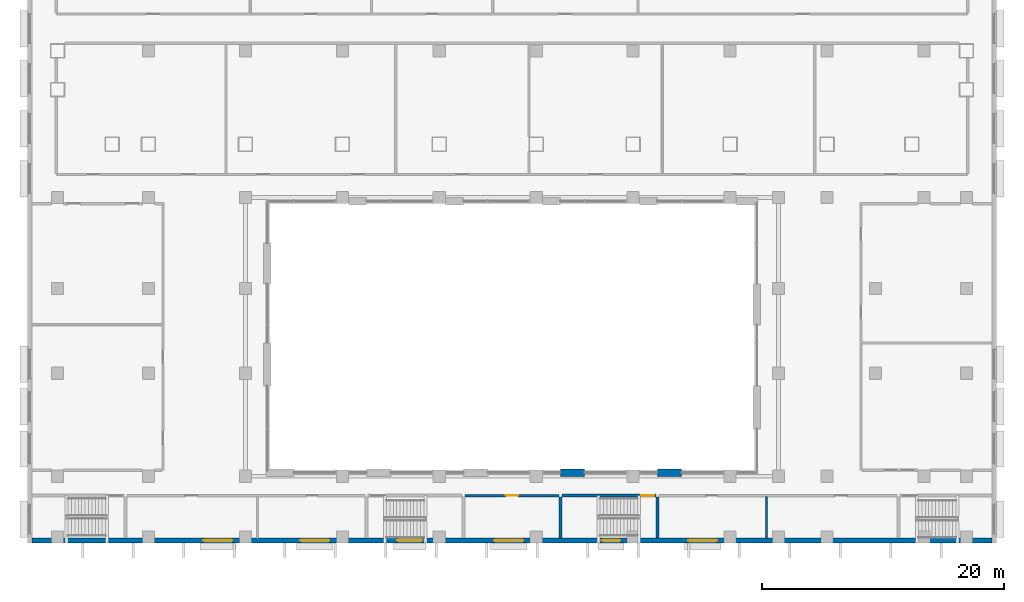
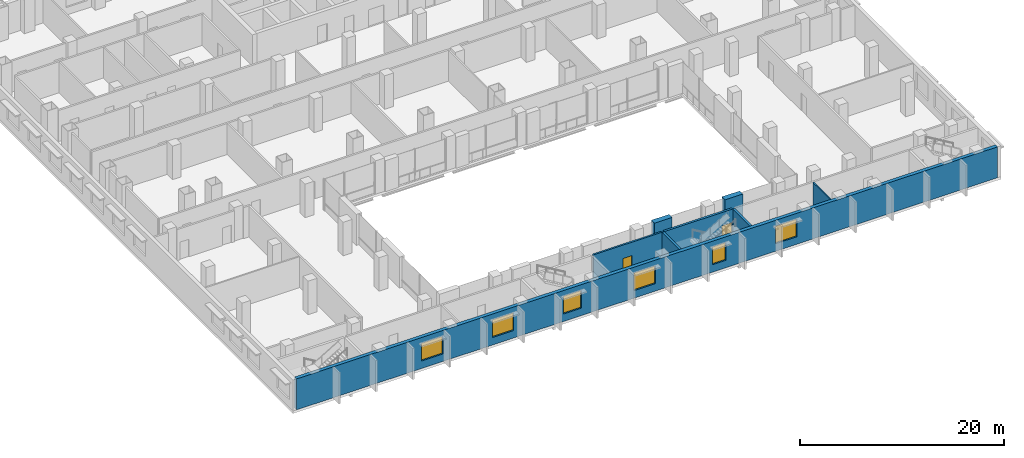
# One storey, part 8 of 25: 8 walls, 6 windows, 2 doors, 8 openings.
"""IFC4 building model written with IfcOpenShell, lengths in metres."""

from ifc_helpers import new_model, si_unit, direction, frame, frame_2d, origin, place, context, subcontext, project, spatial, rectangle, extrude, material, layer, layer_set, type_object, element, fill, save


model = new_model("IFC4")

# Units and contexts
model_context = context("Model", 3, precision=1e-05, world=origin(), true_north=direction((0.0, 1.0)))
body_context = subcontext(model_context, "Body", "Model", "MODEL_VIEW")
ifc_project = project(units=[si_unit("LENGTHUNIT", "METRE"), si_unit("AREAUNIT", "SQUARE_METRE"), si_unit("VOLUMEUNIT", "CUBIC_METRE"), si_unit("PLANEANGLEUNIT", "RADIAN"), si_unit("MASSUNIT", "GRAM", prefix="KILO")], contexts=[model_context])

# Site, building, storey
site_placement = place(None, origin())
site = spatial("IfcSite", under=ifc_project, at=site_placement, CompositionType="ELEMENT")
building_placement = place(site_placement, origin())
building = spatial("IfcBuilding", under=site, at=building_placement, Name="Vidyagriha Tower", CompositionType="ELEMENT")
storey_placement = place(building_placement, frame((0.0, 0.0, 18.0)))
storey = spatial("IfcBuildingStorey", under=building, at=storey_placement, Name="L04", CompositionType="ELEMENT", Elevation=18.0)

# Wall, openings, windows
ifc_material_1 = material(Name="Concrete C40/50 board-marked with brick facing", Category="concrete")
ifc_layer_1 = layer(ifc_material_1, 0.39990234375)
ifc_layer_set_1 = layer_set([ifc_layer_1], Name="Concrete C40/50 board-marked with brick facing")
wall_type_1 = type_object("IfcWallType", Name="Brick-faced board-marked concrete podium wall 400", PredefinedType="STANDARD", material=ifc_layer_set_1)
wall_1_placement = place(storey_placement, frame((-39.60009765625, -49.800048828125, 0.0)))
wall_1 = element("IfcWall", 1, at=wall_1_placement, inside=storey, type_object=wall_type_1, Name="Podium wall L04 R06", PredefinedType="STANDARD", context=body_context, shape_type="SweptSolid", body=[
    extrude(rectangle(XDim=79.2001953125, YDim=0.39990234375, at=frame_2d((39.60009765625, 0.0))), origin(), (0.0, 0.0, 1.0), 3.699951171875),
])
opening_1_placement = place(wall_1_placement, frame((14.135009765625, 0.0, 0.89990234375)))
opening_1 = element("IfcOpeningElement", 2, at=opening_1_placement, cuts=wall_1, Name="Opening WN3", PredefinedType="OPENING", context=body_context, shape_type="SweptSolid", body=[
    extrude(rectangle(XDim=2.39990234375, YDim=2.10009765625, at=frame_2d((1.199951171875, 1.050048828125))), frame((0.0, 0.2099609375, 0.0), z_axis=(0.0, -1.0, 0.0), x_axis=(1.0, 0.0, 0.0)), (0.0, 0.0, 1.0), 0.419921875),
])
opening_2_placement = place(wall_1_placement, frame((22.135009765625, 0.0, 0.89990234375)))
opening_2 = element("IfcOpeningElement", 3, at=opening_2_placement, cuts=wall_1, Name="Opening WN3", PredefinedType="OPENING", context=body_context, shape_type="SweptSolid", body=[
    extrude(rectangle(XDim=2.39990234375, YDim=2.10009765625, at=frame_2d((1.199951171875, 1.050048828125))), frame((0.0, 0.2099609375, 0.0), z_axis=(0.0, -1.0, 0.0), x_axis=(1.0, 0.0, 0.0)), (0.0, 0.0, 1.0), 0.419921875),
])
opening_3_placement = place(wall_1_placement, frame((30.135009765625, 0.0, 0.89990234375)))
opening_3 = element("IfcOpeningElement", 4, at=opening_3_placement, cuts=wall_1, Name="Opening WN7", PredefinedType="OPENING", context=body_context, shape_type="SweptSolid", body=[
    extrude(rectangle(XDim=2.050048828125, YDim=2.10009765625, at=frame_2d((1.02490234375, 1.050048828125))), frame((0.0, 0.2099609375, 0.0), z_axis=(0.0, -1.0, 0.0), x_axis=(1.0, 0.0, 0.0)), (0.0, 0.0, 1.0), 0.419921875),
])
opening_4_placement = place(wall_1_placement, frame((38.135009765625, 0.0, 0.89990234375)))
opening_4 = element("IfcOpeningElement", 5, at=opening_4_placement, cuts=wall_1, Name="Opening WN3", PredefinedType="OPENING", context=body_context, shape_type="SweptSolid", body=[
    extrude(rectangle(XDim=2.39990234375, YDim=2.10009765625, at=frame_2d((1.199951171875, 1.050048828125))), frame((0.0, 0.2099609375, 0.0), z_axis=(0.0, -1.0, 0.0), x_axis=(1.0, 0.0, 0.0)), (0.0, 0.0, 1.0), 0.419921875),
])
opening_5_placement = place(wall_1_placement, frame((47.014892578125, 0.0, 0.89990234375)))
opening_5 = element("IfcOpeningElement", 6, at=opening_5_placement, cuts=wall_1, Name="Opening WN8", PredefinedType="OPENING", context=body_context, shape_type="SweptSolid", body=[
    extrude(rectangle(XDim=1.52001953125, YDim=2.10009765625, at=frame_2d((0.760009765625, 1.050048828125))), frame((0.0, 0.2099609375, 0.0), z_axis=(0.0, -1.0, 0.0), x_axis=(1.0, 0.0, 0.0)), (0.0, 0.0, 1.0), 0.419921875),
])
opening_6_placement = place(wall_1_placement, frame((54.135009765625, 0.0, 0.89990234375)))
opening_6 = element("IfcOpeningElement", 7, at=opening_6_placement, cuts=wall_1, Name="Opening WN3", PredefinedType="OPENING", context=body_context, shape_type="SweptSolid", body=[
    extrude(rectangle(XDim=2.39990234375, YDim=2.10009765625, at=frame_2d((1.199951171875, 1.050048828125))), frame((0.0, 0.2099609375, 0.0), z_axis=(0.0, -1.0, 0.0), x_axis=(1.0, 0.0, 0.0)), (0.0, 0.0, 1.0), 0.419921875),
])
ifc_material_2 = material(Name="Aluminium and glass window", Category="aluminium")
window_type_1 = type_object("IfcWindowType", Name="Podium school window 1520x2100", PartitioningType="NOTDEFINED", PredefinedType="WINDOW", material=ifc_material_2)
window_1_placement = place(opening_5_placement, origin())
window_1 = element("IfcWindow", 8, at=window_1_placement, inside=storey, type_object=window_type_1, Name="School window L04 R06.25", OverallHeight=2.10009765625, OverallWidth=1.52001953125, PartitioningType="SINGLE_PANEL", PredefinedType="WINDOW", context=body_context, shape_type="SweptSolid", body=[
    extrude(rectangle(XDim=1.52001953125, YDim=2.10009765625, at=frame_2d((0.760009765625, 1.050048828125))), frame((0.0, 0.030029296875, 0.0), z_axis=(0.0, -1.0, 0.0), x_axis=(1.0, 0.0, 0.0)), (0.0, 0.0, 1.0), 0.06005859375),
])
fill(opening_5, window_1)
ifc_material_3 = material(Name="Aluminium and glass window", Category="aluminium")
window_type_2 = type_object("IfcWindowType", Name="Podium school window 2050x2100", PartitioningType="NOTDEFINED", PredefinedType="WINDOW", material=ifc_material_3)
window_2_placement = place(opening_3_placement, origin())
window_2 = element("IfcWindow", 9, at=window_2_placement, inside=storey, type_object=window_type_2, Name="School window L04 R06.17", OverallHeight=2.10009765625, OverallWidth=2.050048828125, PartitioningType="SINGLE_PANEL", PredefinedType="WINDOW", context=body_context, shape_type="SweptSolid", body=[
    extrude(rectangle(XDim=2.050048828125, YDim=2.10009765625, at=frame_2d((1.02490234375, 1.050048828125))), frame((0.0, 0.030029296875, 0.0), z_axis=(0.0, -1.0, 0.0), x_axis=(1.0, 0.0, 0.0)), (0.0, 0.0, 1.0), 0.06005859375),
])
fill(opening_3, window_2)
ifc_material_4 = material(Name="Aluminium and glass window", Category="aluminium")
window_type_3 = type_object("IfcWindowType", Name="Podium school window 2400x2100", PartitioningType="NOTDEFINED", PredefinedType="WINDOW", material=ifc_material_4)
window_3_placement = place(opening_1_placement, origin())
window_3 = element("IfcWindow", 10, at=window_3_placement, inside=storey, type_object=window_type_3, Name="School window L04 R06.9", OverallHeight=2.10009765625, OverallWidth=2.39990234375, PartitioningType="SINGLE_PANEL", PredefinedType="WINDOW", context=body_context, shape_type="SweptSolid", body=[
    extrude(rectangle(XDim=2.39990234375, YDim=2.10009765625, at=frame_2d((1.199951171875, 1.050048828125))), frame((0.0, 0.030029296875, 0.0), z_axis=(0.0, -1.0, 0.0), x_axis=(1.0, 0.0, 0.0)), (0.0, 0.0, 1.0), 0.06005859375),
])
fill(opening_1, window_3)
window_4_placement = place(opening_2_placement, origin())
window_4 = element("IfcWindow", 11, at=window_4_placement, inside=storey, type_object=window_type_3, Name="School window L04 R06.13", OverallHeight=2.10009765625, OverallWidth=2.39990234375, PartitioningType="SINGLE_PANEL", PredefinedType="WINDOW", context=body_context, shape_type="SweptSolid", body=[
    extrude(rectangle(XDim=2.39990234375, YDim=2.10009765625, at=frame_2d((1.199951171875, 1.050048828125))), frame((0.0, 0.030029296875, 0.0), z_axis=(0.0, -1.0, 0.0), x_axis=(1.0, 0.0, 0.0)), (0.0, 0.0, 1.0), 0.06005859375),
])
fill(opening_2, window_4)
window_5_placement = place(opening_4_placement, origin())
window_5 = element("IfcWindow", 12, at=window_5_placement, inside=storey, type_object=window_type_3, Name="School window L04 R06.21", OverallHeight=2.10009765625, OverallWidth=2.39990234375, PartitioningType="SINGLE_PANEL", PredefinedType="WINDOW", context=body_context, shape_type="SweptSolid", body=[
    extrude(rectangle(XDim=2.39990234375, YDim=2.10009765625, at=frame_2d((1.199951171875, 1.050048828125))), frame((0.0, 0.030029296875, 0.0), z_axis=(0.0, -1.0, 0.0), x_axis=(1.0, 0.0, 0.0)), (0.0, 0.0, 1.0), 0.06005859375),
])
fill(opening_4, window_5)
window_6_placement = place(opening_6_placement, origin())
window_6 = element("IfcWindow", 13, at=window_6_placement, inside=storey, type_object=window_type_3, Name="School window L04 R06.29", OverallHeight=2.10009765625, OverallWidth=2.39990234375, PartitioningType="SINGLE_PANEL", PredefinedType="WINDOW", context=body_context, shape_type="SweptSolid", body=[
    extrude(rectangle(XDim=2.39990234375, YDim=2.10009765625, at=frame_2d((1.199951171875, 1.050048828125))), frame((0.0, 0.030029296875, 0.0), z_axis=(0.0, -1.0, 0.0), x_axis=(1.0, 0.0, 0.0)), (0.0, 0.0, 1.0), 0.06005859375),
])
fill(opening_6, window_6)

# Walls
ifc_material_5 = material(Name="Precast concrete C40/50 with brick facing", Category="concrete")
ifc_layer_2 = layer(ifc_material_5, 0.60009765625)
ifc_layer_set_2 = layer_set([ifc_layer_2], Name="Precast concrete C40/50 with brick facing")
wall_type_2 = type_object("IfcWallType", Name="Brick-faced precast wall 600", PredefinedType="STANDARD", material=ifc_layer_set_2)
for number, where, z_axis, x_axis, name in (
    (14, (14.0, -44.199951171875, 0.0), (0.0, 0.0, 1.0), (-1.0, 0.0, 0.0), "Brick door bay wall L04 R07.4"),
    (15, (6.0, -44.199951171875, 0.0), (0.0, 0.0, 1.0), (-1.0, 0.0, 0.0), "Brick door bay wall L04 R07.8"),
):
    element("IfcWall", number, at=place(storey_placement, frame(where, z_axis=z_axis, x_axis=x_axis)), inside=storey, type_object=wall_type_2, Name=name, PredefinedType="STANDARD", context=body_context, shape_type="SweptSolid", body=[
        extrude(rectangle(XDim=2.0, YDim=0.60009765625, at=frame_2d((1.0, 0.0))), origin(), (0.0, 0.0, 1.0), 3.699951171875),
    ])

# Wall, opening, door
ifc_material_6 = material(Name="Concrete C32/40", Category="concrete")
ifc_layer_3 = layer(ifc_material_6, 0.25)
ifc_layer_set_3 = layer_set([ifc_layer_3], Name="Concrete C32/40")
wall_type_3 = type_object("IfcWallType", Name="Concrete Stair Enclosure Wall 250", PredefinedType="SOLIDWALL", material=ifc_layer_set_3)
wall_2_placement = place(storey_placement, frame((4.125, -46.10009765625, 0.0)))
wall_2 = element("IfcWall", 16, at=wall_2_placement, inside=storey, type_object=wall_type_3, Name="L04 Concrete Stair Enclosure Wall 250 005", PredefinedType="SOLIDWALL", context=body_context, shape_type="SweptSolid", body=[
    extrude(rectangle(XDim=7.75, YDim=0.25, at=frame_2d((3.875, 0.0))), origin(), (0.0, 0.0, 1.0), 3.699951171875),
])
opening_7_placement = place(wall_2_placement, frame((6.530029296875, 0.0, 0.0)))
opening_7 = element("IfcOpeningElement", 17, at=opening_7_placement, cuts=wall_2, Name="Opening D04-62", PredefinedType="OPENING", context=body_context, shape_type="SweptSolid", body=[
    extrude(rectangle(XDim=1.10009765625, YDim=2.10009765625, at=frame_2d((0.550048828125, 1.050048828125))), frame((0.0, 0.135009765625, 0.0), z_axis=(0.0, -1.0, 0.0), x_axis=(1.0, 0.0, 0.0)), (0.0, 0.0, 1.0), 0.27001953125),
])
ifc_material_7 = material(Name="Steel fire door set", Category="steel")
door_type_1 = type_object("IfcDoorType", Name="Podium Door 1100x2100 EI 90", OperationType="NOTDEFINED", PredefinedType="DOOR", material=ifc_material_7)
door_1_placement = place(opening_7_placement, origin())
door_1 = element("IfcDoor", 18, at=door_1_placement, inside=storey, type_object=door_type_1, Name="L04 door D04-62", OperationType="SINGLE_SWING_RIGHT", OverallHeight=2.10009765625, OverallWidth=1.10009765625, PredefinedType="DOOR", context=body_context, shape_type="SweptSolid", body=[
    extrude(rectangle(XDim=1.10009765625, YDim=2.10009765625, at=frame_2d((0.550048828125, 1.050048828125))), frame((0.0, 0.02490234375, 0.0), z_axis=(0.0, -1.0, 0.0), x_axis=(1.0, 0.0, 0.0)), (0.0, 0.0, 1.0), 0.050048828125),
])
fill(opening_7, door_1)

# Walls
for number, where, z_axis, x_axis, name in (
    (19, (4.0, -49.60009765625, 0.0), (0.0, 0.0, 1.0), (0.0, 1.0, 0.0), "L04 Concrete Stair Enclosure Wall 250 061"),
    (20, (12.0, -49.60009765625, 0.0), (0.0, 0.0, 1.0), (0.0, 1.0, 0.0), "L04 Concrete Stair Enclosure Wall 250 063"),
):
    element("IfcWall", number, at=place(storey_placement, frame(where, z_axis=z_axis, x_axis=x_axis)), inside=storey, type_object=wall_type_3, Name=name, PredefinedType="SOLIDWALL", context=body_context, shape_type="SweptSolid", body=[
        extrude(rectangle(XDim=3.375, YDim=0.25, at=frame_2d((1.6875, 0.0))), origin(), (0.0, 0.0, 1.0), 3.699951171875),
    ])

# Wall, opening, door
ifc_material_8 = material(Name="Fire rated gypsum board on light gauge framing")
ifc_layer_4 = layer(ifc_material_8, 0.199951171875)
ifc_layer_set_4 = layer_set([ifc_layer_4], Name="Fire rated gypsum board on light gauge framing")
wall_type_4 = type_object("IfcWallType", Name="Fire Rated Corridor Wall 200", PredefinedType="PARTITIONING", material=ifc_layer_set_4)
wall_3_placement = place(storey_placement, frame((-3.875, -46.10009765625, 0.0)))
wall_3 = element("IfcWall", 21, at=wall_3_placement, inside=storey, type_object=wall_type_4, Name="L04 Fire Rated Corridor Wall 200 001", PredefinedType="PARTITIONING", context=body_context, shape_type="SweptSolid", body=[
    extrude(rectangle(XDim=7.75, YDim=0.199951171875, at=frame_2d((3.875, 0.0))), origin(), (0.0, 0.0, 1.0), 3.699951171875),
])
opening_8_placement = place(wall_3_placement, frame((3.375, 0.0, 0.0)))
opening_8 = element("IfcOpeningElement", 22, at=opening_8_placement, cuts=wall_3, Name="Opening D04-25", PredefinedType="OPENING", context=body_context, shape_type="SweptSolid", body=[
    extrude(rectangle(XDim=1.0, YDim=2.10009765625, at=frame_2d((0.5, 1.050048828125))), frame((0.0, 0.10986328125, 0.0), z_axis=(0.0, -1.0, 0.0), x_axis=(1.0, 0.0, 0.0)), (0.0, 0.0, 1.0), 0.219970703125),
])
ifc_material_9 = material(Name="Steel fire door set", Category="steel")
door_type_2 = type_object("IfcDoorType", Name="Podium Door 1000x2100 EI 30", OperationType="NOTDEFINED", PredefinedType="DOOR", material=ifc_material_9)
door_2_placement = place(opening_8_placement, frame((1.0, 0.0, 0.0), z_axis=(0.0, 0.0, 1.0), x_axis=(-1.0, 0.0, 0.0)))
door_2 = element("IfcDoor", 23, at=door_2_placement, inside=storey, type_object=door_type_2, Name="L04 door D04-25", OperationType="SINGLE_SWING_LEFT", OverallHeight=2.10009765625, OverallWidth=1.0, PredefinedType="DOOR", context=body_context, shape_type="SweptSolid", body=[
    extrude(rectangle(XDim=1.0, YDim=2.10009765625, at=frame_2d((0.5, 1.050048828125))), frame((0.0, 0.02490234375, 0.0), z_axis=(0.0, -1.0, 0.0), x_axis=(1.0, 0.0, 0.0)), (0.0, 0.0, 1.0), 0.050048828125),
])
fill(opening_8, door_2)

# Wall
ifc_material_10 = material(Name="Gypsum board on light gauge framing")
ifc_layer_5 = layer(ifc_material_10, 0.14990234375)
ifc_layer_set_5 = layer_set([ifc_layer_5], Name="Gypsum board on light gauge framing")
wall_type_5 = type_object("IfcWallType", Name="Gypsum Board Partition 150", PredefinedType="PARTITIONING", material=ifc_layer_set_5)
wall_4_placement = place(storey_placement, frame((21.0, -49.60009765625, 0.0), z_axis=(0.0, 0.0, 1.0), x_axis=(0.0, 1.0, 0.0)))
element("IfcWall", 24, at=wall_4_placement, inside=storey, type_object=wall_type_5, Name="L04 Gypsum Board Partition 150 066", PredefinedType="PARTITIONING", context=body_context, shape_type="SweptSolid", body=[
    extrude(rectangle(XDim=3.400146484375, YDim=0.14990234375, at=frame_2d((1.7001953125, 0.0))), origin(), (0.0, 0.0, 1.0), 3.699951171875),
])

save(model, "model.ifc")
